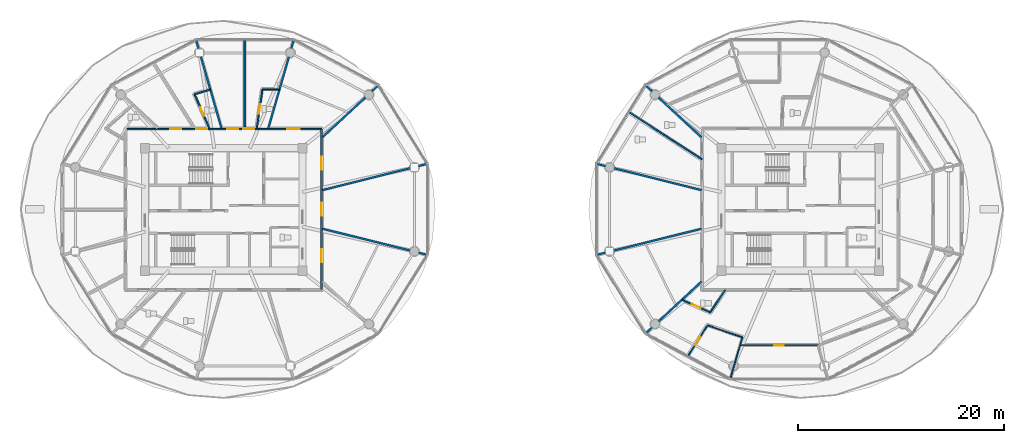
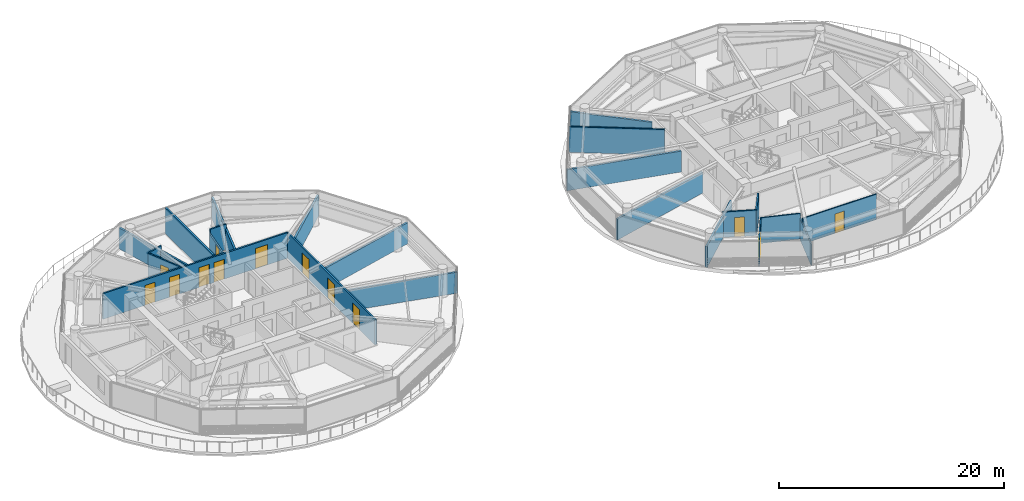
# One storey, part 17 of 32: 23 walls, 13 doors, 13 openings.
"""IFC4 building model written with IfcOpenShell, lengths in metres."""

from ifc_helpers import new_model, si_unit, direction, frame, frame_2d, origin, place, context, subcontext, project, spatial, rectangle, extrude, source, transform, mapped, material, layer, layer_set, type_object, type_shapes, element, fill, save


model = new_model("IFC4")

# Units and contexts
model_context = context("Model", 3, precision=1e-05, world=origin(), true_north=direction((0.0, 1.0)))
body_context = subcontext(model_context, "Body", "Model", "MODEL_VIEW")
ifc_project = project(units=[si_unit("LENGTHUNIT", "METRE"), si_unit("AREAUNIT", "SQUARE_METRE"), si_unit("VOLUMEUNIT", "CUBIC_METRE"), si_unit("PLANEANGLEUNIT", "RADIAN"), si_unit("MASSUNIT", "GRAM", prefix="KILO")], contexts=[model_context])

# Site, building, storey
site_placement = place(None, origin())
site = spatial("IfcSite", under=ifc_project, at=site_placement, CompositionType="ELEMENT")
building_placement = place(site_placement, origin())
building = spatial("IfcBuilding", under=site, at=building_placement, Name="Norrkilde Senior Care Towers", CompositionType="ELEMENT")
storey_placement = place(building_placement, frame((0.0, 0.0, 77.949951171875)))
storey = spatial("IfcBuildingStorey", under=building, at=storey_placement, Name="L23", CompositionType="ELEMENT", Elevation=77.949951171875)

# Wall, openings, doors
ifc_material_1 = material(Name="Gypsum Acoustic Board")
ifc_layer_1 = layer(ifc_material_1, 0.1650390625)
ifc_layer_set_1 = layer_set([ifc_layer_1], Name="Gypsum Acoustic Board")
wall_type_1 = type_object("IfcWallType", Name="Corridor Rated Partition 165", PredefinedType="PARTITIONING", material=ifc_layer_set_1)
shared_shape_1 = source(origin(), body_context, "Body", "SweptSolid", [
    extrude(rectangle(XDim=19.0, YDim=0.1650390625, at=frame_2d((9.5, 0.0))), origin(), (0.0, 0.0, 1.0), 2.775146484375),
])
wall_1_placement = place(storey_placement, frame((-37.5, 7.800048828125, 0.0), z_axis=(0.0, 0.0, 1.0), x_axis=(1.0, 0.0, 0.0)))
wall_1 = element("IfcWall", 1, at=wall_1_placement, inside=storey, type_object=wall_type_1, Name="WL-INT-L23-W-CRW-N-0", PredefinedType="PARTITIONING", context=body_context, shape_type="MappedRepresentation", body=[
    mapped(shared_shape_1, transform((0.0, 0.0, 0.0), x_axis=(1.0, 0.0, 0.0), y_axis=(0.0, 1.0, 0.0), z_axis=(0.0, 0.0, 1.0), scale=1.0)),
])
opening_1_placement = place(wall_1_placement, frame((15.643798828125, 0.0, 0.0)))
opening_1 = element("IfcOpeningElement", 2, at=opening_1_placement, cuts=wall_1, Name="Opening D-05", PredefinedType="OPENING", context=body_context, shape_type="SweptSolid", body=[
    extrude(rectangle(XDim=1.25, YDim=2.199951171875, at=frame_2d((0.625, 1.10009765625))), frame((0.0, 0.092529296875, 0.0), z_axis=(0.0, -1.0, 0.0), x_axis=(1.0, 0.0, 0.0)), (0.0, 0.0, 1.0), 0.18505859375),
])
opening_2_placement = place(wall_1_placement, frame((11.401611328125, 0.0, 0.0)))
opening_2 = element("IfcOpeningElement", 3, at=opening_2_placement, cuts=wall_1, Name="Opening D-06", PredefinedType="OPENING", context=body_context, shape_type="SweptSolid", body=[
    extrude(rectangle(XDim=1.050048828125, YDim=2.14990234375, at=frame_2d((0.52490234375, 1.074951171875))), frame((0.0, 0.092529296875, 0.0), z_axis=(0.0, -1.0, 0.0), x_axis=(1.0, 0.0, 0.0)), (0.0, 0.0, 1.0), 0.18505859375),
])
opening_3_placement = place(wall_1_placement, frame((9.857177734375, 0.0, 0.0)))
opening_3 = element("IfcOpeningElement", 4, at=opening_3_placement, cuts=wall_1, Name="Opening D-06", PredefinedType="OPENING", context=body_context, shape_type="SweptSolid", body=[
    extrude(rectangle(XDim=1.050048828125, YDim=2.14990234375, at=frame_2d((0.52490234375, 1.074951171875))), frame((0.0, 0.092529296875, 0.0), z_axis=(0.0, -1.0, 0.0), x_axis=(1.0, 0.0, 0.0)), (0.0, 0.0, 1.0), 0.18505859375),
])
opening_4_placement = place(wall_1_placement, frame((6.826171875, 0.0, 0.0)))
opening_4 = element("IfcOpeningElement", 5, at=opening_4_placement, cuts=wall_1, Name="Opening D-06", PredefinedType="OPENING", context=body_context, shape_type="SweptSolid", body=[
    extrude(rectangle(XDim=1.050048828125, YDim=2.14990234375, at=frame_2d((0.52490234375, 1.074951171875))), frame((0.0, 0.092529296875, 0.0), z_axis=(0.0, -1.0, 0.0), x_axis=(1.0, 0.0, 0.0)), (0.0, 0.0, 1.0), 0.18505859375),
])
opening_5_placement = place(wall_1_placement, frame((4.306640625, 0.0, 0.0)))
opening_5 = element("IfcOpeningElement", 6, at=opening_5_placement, cuts=wall_1, Name="Opening D-06", PredefinedType="OPENING", context=body_context, shape_type="SweptSolid", body=[
    extrude(rectangle(XDim=1.050048828125, YDim=2.14990234375, at=frame_2d((0.52490234375, 1.074951171875))), frame((0.0, 0.092529296875, 0.0), z_axis=(0.0, -1.0, 0.0), x_axis=(1.0, 0.0, 0.0)), (0.0, 0.0, 1.0), 0.18505859375),
])
ifc_material_2 = material(Name="Nordic Ash Timber", Category="wood")
door_type_1 = type_object("IfcDoorType", Name="Care Bedroom Bariatric Door 1250x2200", OperationType="NOTDEFINED", PredefinedType="DOOR", material=ifc_material_2)
shared_shape_2 = source(origin(), body_context, "Body", "SweptSolid", [
    extrude(rectangle(XDim=1.25, YDim=2.199951171875, at=frame_2d((0.625, 1.10009765625))), frame((0.0, 0.02490234375, 0.0), z_axis=(0.0, -1.0, 0.0), x_axis=(1.0, 0.0, 0.0)), (0.0, 0.0, 1.0), 0.050048828125),
])
type_shapes(door_type_1, [shared_shape_2])
door_1_placement = place(opening_1_placement, frame((1.25, 0.0, 0.0), z_axis=(0.0, 0.0, 1.0), x_axis=(-1.0, 0.0, 0.0)))
door_1 = element("IfcDoor", 7, at=door_1_placement, inside=storey, type_object=door_type_1, Name="L23 Senior Wellness Library Lounge Door", OperationType="SINGLE_SWING_RIGHT", OverallHeight=2.199951171875, OverallWidth=1.25, PredefinedType="DOOR", context=body_context, shape_type="MappedRepresentation", body=[
    mapped(shared_shape_2, transform((0.0, 0.0, 0.0), x_axis=(1.0, 0.0, 0.0), y_axis=(0.0, 1.0, 0.0), z_axis=(0.0, 0.0, 1.0), scale=1.0)),
])
fill(opening_1, door_1)
door_type_2 = type_object("IfcDoorType", Name="Apartment Entrance Fire Door 1050x2150", OperationType="NOTDEFINED", PredefinedType="DOOR", material=ifc_material_2)
shared_shape_3 = source(origin(), body_context, "Body", "SweptSolid", [
    extrude(rectangle(XDim=1.050048828125, YDim=2.14990234375, at=frame_2d((0.52490234375, 1.074951171875))), frame((0.0, 0.02490234375, 0.0), z_axis=(0.0, -1.0, 0.0), x_axis=(1.0, 0.0, 0.0)), (0.0, 0.0, 1.0), 0.050048828125),
])
type_shapes(door_type_2, [shared_shape_3])
door_2_placement = place(opening_2_placement, frame((1.050048828125, 0.0, 0.0), z_axis=(0.0, 0.0, 1.0), x_axis=(-1.0, 0.0, 0.0)))
door_2 = element("IfcDoor", 8, at=door_2_placement, inside=storey, type_object=door_type_2, Name="L23 Care Suite 2302A Entrance Door", OperationType="SINGLE_SWING_RIGHT", OverallHeight=2.14990234375, OverallWidth=1.050048828125, PredefinedType="DOOR", context=body_context, shape_type="MappedRepresentation", body=[
    mapped(shared_shape_3, transform((0.0, 0.0, 0.0), x_axis=(1.0, 0.0, 0.0), y_axis=(0.0, 1.0, 0.0), z_axis=(0.0, 0.0, 1.0), scale=1.0)),
])
fill(opening_2, door_2)
door_3_placement = place(opening_3_placement, frame((1.050048828125, 0.0, 0.0), z_axis=(0.0, 0.0, 1.0), x_axis=(-1.0, 0.0, 0.0)))
door_3 = element("IfcDoor", 9, at=door_3_placement, inside=storey, type_object=door_type_2, Name="L23 Therapy Day Lounge 02 Door", OperationType="SINGLE_SWING_RIGHT", OverallHeight=2.14990234375, OverallWidth=1.050048828125, PredefinedType="DOOR", context=body_context, shape_type="MappedRepresentation", body=[
    mapped(shared_shape_3, transform((0.0, 0.0, 0.0), x_axis=(1.0, 0.0, 0.0), y_axis=(0.0, 1.0, 0.0), z_axis=(0.0, 0.0, 1.0), scale=1.0)),
])
fill(opening_3, door_3)
door_4_placement = place(opening_4_placement, frame((1.050048828125, 0.0, 0.0), z_axis=(0.0, 0.0, 1.0), x_axis=(-1.0, 0.0, 0.0)))
door_4 = element("IfcDoor", 10, at=door_4_placement, inside=storey, type_object=door_type_2, Name="L23 Care Suite 2303A Entrance Door", OperationType="SINGLE_SWING_LEFT", OverallHeight=2.14990234375, OverallWidth=1.050048828125, PredefinedType="DOOR", context=body_context, shape_type="MappedRepresentation", body=[
    mapped(shared_shape_3, transform((0.0, 0.0, 0.0), x_axis=(1.0, 0.0, 0.0), y_axis=(0.0, 1.0, 0.0), z_axis=(0.0, 0.0, 1.0), scale=1.0)),
])
fill(opening_4, door_4)
door_5_placement = place(opening_5_placement, frame((1.050048828125, 0.0, 0.0), z_axis=(0.0, 0.0, 1.0), x_axis=(-1.0, 0.0, 0.0)))
door_5 = element("IfcDoor", 11, at=door_5_placement, inside=storey, type_object=door_type_2, Name="L23 Therapy Day Lounge 03 Door", OperationType="SINGLE_SWING_LEFT", OverallHeight=2.14990234375, OverallWidth=1.050048828125, PredefinedType="DOOR", context=body_context, shape_type="MappedRepresentation", body=[
    mapped(shared_shape_3, transform((0.0, 0.0, 0.0), x_axis=(1.0, 0.0, 0.0), y_axis=(0.0, 1.0, 0.0), z_axis=(0.0, 0.0, 1.0), scale=1.0)),
])
fill(opening_5, door_5)

shared_shape_4 = source(origin(), body_context, "Body", "SweptSolid", [
    extrude(rectangle(XDim=15.60009765625, YDim=0.1650390625, at=frame_2d((7.800048828125, 0.0))), origin(), (0.0, 0.0, 1.0), 2.775146484375),
])
type_shapes(wall_type_1, [shared_shape_1, shared_shape_4])
wall_2_placement = place(storey_placement, frame((-18.5, 7.800048828125, 0.0), z_axis=(0.0, 0.0, 1.0), x_axis=(0.0, -1.0, 0.0)))
wall_2 = element("IfcWall", 12, at=wall_2_placement, inside=storey, type_object=wall_type_1, Name="WL-INT-L23-W-CRW-E-0", PredefinedType="PARTITIONING", context=body_context, shape_type="MappedRepresentation", body=[
    mapped(shared_shape_4, transform((0.0, 0.0, 0.0), x_axis=(1.0, 0.0, 0.0), y_axis=(0.0, 1.0, 0.0), z_axis=(0.0, 0.0, 1.0), scale=1.0)),
])
opening_6_placement = place(wall_2_placement, frame((11.6640625, 0.0, 0.0)))
opening_6 = element("IfcOpeningElement", 13, at=opening_6_placement, cuts=wall_2, Name="Opening D-05", PredefinedType="OPENING", context=body_context, shape_type="SweptSolid", body=[
    extrude(rectangle(XDim=1.25, YDim=2.199951171875, at=frame_2d((0.625, 1.10009765625))), frame((0.0, 0.092529296875, 0.0), z_axis=(0.0, -1.0, 0.0), x_axis=(1.0, 0.0, 0.0)), (0.0, 0.0, 1.0), 0.18505859375),
])
opening_7_placement = place(wall_2_placement, frame((7.175048828125, 0.0, 0.0)))
opening_7 = element("IfcOpeningElement", 14, at=opening_7_placement, cuts=wall_2, Name="Opening D-05", PredefinedType="OPENING", context=body_context, shape_type="SweptSolid", body=[
    extrude(rectangle(XDim=1.25, YDim=2.199951171875, at=frame_2d((0.625, 1.10009765625))), frame((0.0, 0.092529296875, 0.0), z_axis=(0.0, -1.0, 0.0), x_axis=(1.0, 0.0, 0.0)), (0.0, 0.0, 1.0), 0.18505859375),
])
opening_8_placement = place(wall_2_placement, frame((2.68603515625, 0.0, 0.0)))
opening_8 = element("IfcOpeningElement", 15, at=opening_8_placement, cuts=wall_2, Name="Opening D-05", PredefinedType="OPENING", context=body_context, shape_type="SweptSolid", body=[
    extrude(rectangle(XDim=1.25, YDim=2.199951171875, at=frame_2d((0.625, 1.10009765625))), frame((0.0, 0.092529296875, 0.0), z_axis=(0.0, -1.0, 0.0), x_axis=(1.0, 0.0, 0.0)), (0.0, 0.0, 1.0), 0.18505859375),
])
door_6_placement = place(opening_6_placement, frame((1.25, 0.0, 0.0), z_axis=(0.0, 0.0, 1.0), x_axis=(-1.0, 0.0, 0.0)))
door_6 = element("IfcDoor", 16, at=door_6_placement, inside=storey, type_object=door_type_1, Name="L23 Care Coordination Charting Office Door", OperationType="SINGLE_SWING_LEFT", OverallHeight=2.199951171875, OverallWidth=1.25, PredefinedType="DOOR", context=body_context, shape_type="MappedRepresentation", body=[
    mapped(shared_shape_2, transform((0.0, 0.0, 0.0), x_axis=(1.0, 0.0, 0.0), y_axis=(0.0, 1.0, 0.0), z_axis=(0.0, 0.0, 1.0), scale=1.0)),
])
fill(opening_6, door_6)
door_7_placement = place(opening_7_placement, frame((1.25, 0.0, 0.0), z_axis=(0.0, 0.0, 1.0), x_axis=(-1.0, 0.0, 0.0)))
door_7 = element("IfcDoor", 17, at=door_7_placement, inside=storey, type_object=door_type_1, Name="L23 Household Communal Dining Salon Door", OperationType="SINGLE_SWING_RIGHT", OverallHeight=2.199951171875, OverallWidth=1.25, PredefinedType="DOOR", context=body_context, shape_type="MappedRepresentation", body=[
    mapped(shared_shape_2, transform((0.0, 0.0, 0.0), x_axis=(1.0, 0.0, 0.0), y_axis=(0.0, 1.0, 0.0), z_axis=(0.0, 0.0, 1.0), scale=1.0)),
])
fill(opening_7, door_7)
door_8_placement = place(opening_8_placement, frame((1.25, 0.0, 0.0), z_axis=(0.0, 0.0, 1.0), x_axis=(-1.0, 0.0, 0.0)))
door_8 = element("IfcDoor", 18, at=door_8_placement, inside=storey, type_object=door_type_1, Name="L23 Sky-Garden Observatory Dining Salon L23 Door", OperationType="SINGLE_SWING_LEFT", OverallHeight=2.199951171875, OverallWidth=1.25, PredefinedType="DOOR", context=body_context, shape_type="MappedRepresentation", body=[
    mapped(shared_shape_2, transform((0.0, 0.0, 0.0), x_axis=(1.0, 0.0, 0.0), y_axis=(0.0, 1.0, 0.0), z_axis=(0.0, 0.0, 1.0), scale=1.0)),
])
fill(opening_8, door_8)

# Walls
ifc_layer_2 = layer(ifc_material_1, 0.18994140625)
ifc_layer_set_2 = layer_set([ifc_layer_2], Name="Gypsum Acoustic Board")
wall_type_2 = type_object("IfcWallType", Name="Unit Demising Acoustic Wall 190", PredefinedType="PARTITIONING", material=ifc_layer_set_2)
shared_shape_5 = source(origin(), body_context, "Body", "SweptSolid", [
    extrude(rectangle(XDim=8.9892578125, YDim=0.18994140625, at=frame_2d((4.49462890625, 0.0))), origin(), (0.0, 0.0, 1.0), 2.275146484375),
])
for number, where, z_axis, x_axis, name in (
    (19, (-23.677978515625, 7.8798828125, 0.0), (0.0, 0.0, 1.0), (0.27702323008, 0.960863221274, 0.0), "WL-INT-L23-W-DEM-02-0"),
    (20, (-28.221923828125, 7.8798828125, 0.0), (0.0, 0.0, 1.0), (-0.27702323008, 0.960863221274, 0.0), "WL-INT-L23-W-DEM-03-0"),
):
    element("IfcWall", number, at=place(storey_placement, frame(where, z_axis=z_axis, x_axis=x_axis)), inside=storey, type_object=wall_type_2, Name=name, PredefinedType="PARTITIONING", context=body_context, shape_type="MappedRepresentation", body=[
        mapped(shared_shape_5, transform((0.0, 0.0, 0.0), x_axis=(1.0, 0.0, 0.0), y_axis=(0.0, 1.0, 0.0), z_axis=(0.0, 0.0, 1.0), scale=1.0)),
    ])
shared_shape_6 = source(origin(), body_context, "Body", "SweptSolid", [
    extrude(rectangle(XDim=7.482177734375, YDim=0.18994140625, at=frame_2d((3.7412109375, 0.0))), origin(), (0.0, 0.0, 1.0), 2.275146484375),
])
for number, where, z_axis, x_axis, name in (
    (21, (-18.419921875, 6.998046875, 0.0), (0.0, 0.0, 1.0), (0.732508698043, 0.680757671489, 0.0), "WL-INT-L23-W-DEM-01-0"),
    (22, (18.419921875, -6.998046875, 0.0), (0.0, 0.0, 1.0), (-0.732508698043, -0.680757671489, 0.0), "WL-INT-L23-E-DEM-07-0"),
    (23, (18.419921875, 6.998046875, 0.0), (0.0, 0.0, 1.0), (-0.732508698043, 0.680757671489, 0.0), "WL-INT-L23-E-DEM-04-0"),
):
    element("IfcWall", number, at=place(storey_placement, frame(where, z_axis=z_axis, x_axis=x_axis)), inside=storey, type_object=wall_type_2, Name=name, PredefinedType="PARTITIONING", context=body_context, shape_type="MappedRepresentation", body=[
        mapped(shared_shape_6, transform((0.0, 0.0, 0.0), x_axis=(1.0, 0.0, 0.0), y_axis=(0.0, 1.0, 0.0), z_axis=(0.0, 0.0, 1.0), scale=1.0)),
    ])
shared_shape_7 = source(origin(), body_context, "Body", "SweptSolid", [
    extrude(rectangle(XDim=10.5556640625, YDim=0.18994140625, at=frame_2d((5.27783203125, 0.0))), origin(), (0.0, 0.0, 1.0), 2.275146484375),
])
for number, where, z_axis, x_axis, name in (
    (24, (-18.419921875, -1.875, 0.0), (0.0, 0.0, 1.0), (0.970363857851, -0.241648470667, 0.0), "WL-INT-L23-W-DEM-11-0"),
    (25, (-18.419921875, 1.875, 0.0), (0.0, 0.0, 1.0), (0.970363857851, 0.241648470667, 0.0), "WL-INT-L23-W-DEM-00-0"),
    (26, (18.419921875, 1.875, 0.0), (0.0, 0.0, 1.0), (-0.970363857851, 0.241648470667, 0.0), "WL-INT-L23-E-DEM-05-0"),
    (27, (18.419921875, -1.875, 0.0), (0.0, 0.0, 1.0), (-0.970363857851, -0.241648470667, 0.0), "WL-INT-L23-E-DEM-06-0"),
):
    element("IfcWall", number, at=place(storey_placement, frame(where, z_axis=z_axis, x_axis=x_axis)), inside=storey, type_object=wall_type_2, Name=name, PredefinedType="PARTITIONING", context=body_context, shape_type="MappedRepresentation", body=[
        mapped(shared_shape_7, transform((0.0, 0.0, 0.0), x_axis=(1.0, 0.0, 0.0), y_axis=(0.0, 1.0, 0.0), z_axis=(0.0, 0.0, 1.0), scale=1.0)),
    ])
shared_shape_8 = source(origin(), body_context, "Body", "SweptSolid", [
    extrude(rectangle(XDim=8.470458984375, YDim=0.18994140625, at=frame_2d((4.2353515625, 0.0))), origin(), (0.0, 0.0, 1.0), 2.775146484375),
])
type_shapes(wall_type_2, [shared_shape_5, shared_shape_6, shared_shape_7, shared_shape_8])
wall_3_placement = place(storey_placement, frame((-25.949951171875, 8.046875, 0.0), z_axis=(0.0, 0.0, 1.0), x_axis=(0.0, 1.0, 0.0)))
element("IfcWall", 28, at=wall_3_placement, inside=storey, type_object=wall_type_2, Name="WL-INT-L23-W-CMID-02", PredefinedType="PARTITIONING", context=body_context, shape_type="MappedRepresentation", body=[
    mapped(shared_shape_8, transform((0.0, 0.0, 0.0), x_axis=(1.0, 0.0, 0.0), y_axis=(0.0, 1.0, 0.0), z_axis=(0.0, 0.0, 1.0), scale=1.0)),
])

# Wall, opening, door
ifc_layer_3 = layer(ifc_material_1, 0.139892578125)
ifc_layer_set_3 = layer_set([ifc_layer_3], Name="Gypsum Acoustic Board")
wall_type_3 = type_object("IfcWallType", Name="En-suite Wet Room Wall 140", PredefinedType="PARTITIONING", material=ifc_layer_set_3)
shared_shape_9 = source(origin(), body_context, "Body", "SweptSolid", [
    extrude(rectangle(XDim=3.859619140625, YDim=0.139892578125, at=frame_2d((1.9296875, 0.0))), origin(), (0.0, 0.0, 1.0), 2.275146484375),
])
wall_4_placement = place(storey_placement, frame((-24.80224609375, 7.830078125, 0.0), z_axis=(0.0, 0.0, 1.0), x_axis=(0.145042357075, 0.989425446739, 0.0)))
wall_4 = element("IfcWall", 29, at=wall_4_placement, inside=storey, type_object=wall_type_3, Name="WL-INT-L23-W-ES-02A", PredefinedType="PARTITIONING", context=body_context, shape_type="MappedRepresentation", body=[
    mapped(shared_shape_9, transform((0.0, 0.0, 0.0), x_axis=(1.0, 0.0, 0.0), y_axis=(0.0, 1.0, 0.0), z_axis=(0.0, 0.0, 1.0), scale=1.0)),
])
opening_9_placement = place(wall_4_placement, frame((1.469970703125, 0.0, 0.0)))
opening_9 = element("IfcOpeningElement", 30, at=opening_9_placement, cuts=wall_4, Name="Opening D-08", PredefinedType="OPENING", context=body_context, shape_type="SweptSolid", body=[
    extrude(rectangle(XDim=0.919921875, YDim=2.10009765625, at=frame_2d((0.4599609375, 1.050048828125))), frame((0.0, 0.079833984375, 0.0), z_axis=(0.0, -1.0, 0.0), x_axis=(1.0, 0.0, 0.0)), (0.0, 0.0, 1.0), 0.159912109375),
])
door_type_3 = type_object("IfcDoorType", Name="Accessible Wet Room Door 920x2100", OperationType="NOTDEFINED", PredefinedType="DOOR", material=ifc_material_2)
shared_shape_10 = source(origin(), body_context, "Body", "SweptSolid", [
    extrude(rectangle(XDim=0.919921875, YDim=2.10009765625, at=frame_2d((0.4599609375, 1.050048828125))), frame((0.0, 0.02490234375, 0.0), z_axis=(0.0, -1.0, 0.0), x_axis=(1.0, 0.0, 0.0)), (0.0, 0.0, 1.0), 0.050048828125),
])
type_shapes(door_type_3, [shared_shape_10])
door_9_placement = place(opening_9_placement, origin())
door_9 = element("IfcDoor", 31, at=door_9_placement, inside=storey, type_object=door_type_3, Name="L23 Care Suite 2302A Bathroom Door", OperationType="SINGLE_SWING_LEFT", OverallHeight=2.10009765625, OverallWidth=0.919921875, PredefinedType="DOOR", context=body_context, shape_type="MappedRepresentation", body=[
    mapped(shared_shape_10, transform((0.0, 0.0, 0.0), x_axis=(1.0, 0.0, 0.0), y_axis=(0.0, 1.0, 0.0), z_axis=(0.0, 0.0, 1.0), scale=1.0)),
])
fill(opening_9, door_9)

# Wall
shared_shape_11 = source(origin(), body_context, "Body", "SweptSolid", [
    extrude(rectangle(XDim=1.632080078125, YDim=0.139892578125, at=frame_2d((0.81591796875, 0.0))), origin(), (0.0, 0.0, 1.0), 2.775146484375),
])
wall_5_placement = place(storey_placement, frame((-24.242431640625, 11.64892578125, 0.0), z_axis=(0.0, 0.0, 1.0), x_axis=(0.999999093743, -0.001346296461, 0.0)))
element("IfcWall", 32, at=wall_5_placement, inside=storey, type_object=wall_type_3, Name="WL-INT-L23-W-EF-02A", PredefinedType="PARTITIONING", context=body_context, shape_type="MappedRepresentation", body=[
    mapped(shared_shape_11, transform((0.0, 0.0, 0.0), x_axis=(1.0, 0.0, 0.0), y_axis=(0.0, 1.0, 0.0), z_axis=(0.0, 0.0, 1.0), scale=1.0)),
])

# Wall, opening, door
shared_shape_12 = source(origin(), body_context, "Body", "SweptSolid", [
    extrude(rectangle(XDim=3.656005859375, YDim=0.139892578125, at=frame_2d((1.828125, 0.0))), origin(), (0.0, 0.0, 1.0), 2.775146484375),
])
wall_6_placement = place(storey_placement, frame((-29.369384765625, 7.830078125, 0.0), z_axis=(0.0, 0.0, 1.0), x_axis=(-0.400212690223, 0.916422283985, 0.0)))
wall_6 = element("IfcWall", 33, at=wall_6_placement, inside=storey, type_object=wall_type_3, Name="WL-INT-L23-W-ES-03A", PredefinedType="PARTITIONING", context=body_context, shape_type="MappedRepresentation", body=[
    mapped(shared_shape_12, transform((0.0, 0.0, 0.0), x_axis=(1.0, 0.0, 0.0), y_axis=(0.0, 1.0, 0.0), z_axis=(0.0, 0.0, 1.0), scale=1.0)),
])
opening_10_placement = place(wall_6_placement, frame((1.367919921875, 0.0, 0.0)))
opening_10 = element("IfcOpeningElement", 34, at=opening_10_placement, cuts=wall_6, Name="Opening D-08", PredefinedType="OPENING", context=body_context, shape_type="SweptSolid", body=[
    extrude(rectangle(XDim=0.919921875, YDim=2.10009765625, at=frame_2d((0.4599609375, 1.050048828125))), frame((0.0, 0.079833984375, 0.0), z_axis=(0.0, -1.0, 0.0), x_axis=(1.0, 0.0, 0.0)), (0.0, 0.0, 1.0), 0.159912109375),
])
door_10_placement = place(opening_10_placement, origin())
door_10 = element("IfcDoor", 35, at=door_10_placement, inside=storey, type_object=door_type_3, Name="L23 Care Suite 2303A Bathroom Door", OperationType="SINGLE_SWING_RIGHT", OverallHeight=2.10009765625, OverallWidth=0.919921875, PredefinedType="DOOR", context=body_context, shape_type="MappedRepresentation", body=[
    mapped(shared_shape_10, transform((0.0, 0.0, 0.0), x_axis=(1.0, 0.0, 0.0), y_axis=(0.0, 1.0, 0.0), z_axis=(0.0, 0.0, 1.0), scale=1.0)),
])
fill(opening_10, door_10)

# Wall
shared_shape_13 = source(origin(), body_context, "Body", "SweptSolid", [
    extrude(rectangle(XDim=1.612060546875, YDim=0.139892578125, at=frame_2d((0.80615234375, 0.0))), origin(), (0.0, 0.0, 1.0), 2.775146484375),
])
wall_7_placement = place(storey_placement, frame((-30.83251953125, 11.180419921875, 0.0), z_axis=(0.0, 0.0, 1.0), x_axis=(0.956236281577, 0.292595580616, 0.0)))
element("IfcWall", 36, at=wall_7_placement, inside=storey, type_object=wall_type_3, Name="WL-INT-L23-W-EF-03A", PredefinedType="PARTITIONING", context=body_context, shape_type="MappedRepresentation", body=[
    mapped(shared_shape_13, transform((0.0, 0.0, 0.0), x_axis=(1.0, 0.0, 0.0), y_axis=(0.0, 1.0, 0.0), z_axis=(0.0, 0.0, 1.0), scale=1.0)),
])

# Wall, opening, door
ifc_layer_4 = layer(ifc_material_1, 0.114990234375)
ifc_layer_set_4 = layer_set([ifc_layer_4], Name="Gypsum Acoustic Board")
wall_type_4 = type_object("IfcWallType", Name="Internal Room Partition 115", PredefinedType="PARTITIONING", material=ifc_layer_set_4)
shared_shape_14 = source(origin(), body_context, "Body", "SweptSolid", [
    extrude(rectangle(XDim=7.57470703125, YDim=0.114990234375, at=frame_2d((3.787353515625, 0.0))), origin(), (0.0, 0.0, 1.0), 2.775146484375),
])
wall_8_placement = place(storey_placement, frame((22.16259765625, -13.208251953125, 0.0), z_axis=(0.0, 0.0, 1.0), x_axis=(1.0, 0.0, 0.0)))
wall_8 = element("IfcWall", 37, at=wall_8_placement, inside=storey, type_object=wall_type_4, Name="WL-INT-L23-E-UBC-07-1", PredefinedType="PARTITIONING", context=body_context, shape_type="MappedRepresentation", body=[
    mapped(shared_shape_14, transform((0.0, 0.0, 0.0), x_axis=(1.0, 0.0, 0.0), y_axis=(0.0, 1.0, 0.0), z_axis=(0.0, 0.0, 1.0), scale=1.0)),
])
opening_11_placement = place(wall_8_placement, frame((3.312255859375, 0.0, 0.0)))
opening_11 = element("IfcOpeningElement", 38, at=opening_11_placement, cuts=wall_8, Name="Opening D-07", PredefinedType="OPENING", context=body_context, shape_type="SweptSolid", body=[
    extrude(rectangle(XDim=0.949951171875, YDim=2.10009765625, at=frame_2d((0.47509765625, 1.050048828125))), frame((0.0, 0.0673828125, 0.0), z_axis=(0.0, -1.0, 0.0), x_axis=(1.0, 0.0, 0.0)), (0.0, 0.0, 1.0), 0.135009765625),
])
door_type_4 = type_object("IfcDoorType", Name="Internal Suite Bedroom Door 950x2100", OperationType="NOTDEFINED", PredefinedType="DOOR", material=ifc_material_2)
shared_shape_15 = source(origin(), body_context, "Body", "SweptSolid", [
    extrude(rectangle(XDim=0.949951171875, YDim=2.10009765625, at=frame_2d((0.47509765625, 1.050048828125))), frame((0.0, 0.02490234375, 0.0), z_axis=(0.0, -1.0, 0.0), x_axis=(1.0, 0.0, 0.0)), (0.0, 0.0, 1.0), 0.050048828125),
])
type_shapes(door_type_4, [shared_shape_15])
door_11_placement = place(opening_11_placement, origin())
door_11 = element("IfcDoor", 39, at=door_11_placement, inside=storey, type_object=door_type_4, Name="Apartment 23A Bedroom 1 Door", OperationType="SINGLE_SWING_LEFT", OverallHeight=2.10009765625, OverallWidth=0.949951171875, PredefinedType="DOOR", context=body_context, shape_type="MappedRepresentation", body=[
    mapped(shared_shape_15, transform((0.0, 0.0, 0.0), x_axis=(1.0, 0.0, 0.0), y_axis=(0.0, 1.0, 0.0), z_axis=(0.0, 0.0, 1.0), scale=1.0)),
])
fill(opening_11, door_11)

# Walls
shared_shape_16 = source(origin(), body_context, "Body", "SweptSolid", [
    extrude(rectangle(XDim=4.261962890625, YDim=0.114990234375, at=frame_2d((2.130859375, 0.0))), origin(), (0.0, 0.0, 1.0), 2.275146484375),
])
wall_9_placement = place(storey_placement, frame((22.386474609375, -12.427490234375, 0.0), z_axis=(0.0, 0.0, 1.0), x_axis=(-0.281266797169, -0.95962961022, 0.0)))
element("IfcWall", 40, at=wall_9_placement, inside=storey, type_object=wall_type_4, Name="WL-INT-L23-E-UBR-07-1", PredefinedType="PARTITIONING", context=body_context, shape_type="MappedRepresentation", body=[
    mapped(shared_shape_16, transform((0.0, 0.0, 0.0), x_axis=(1.0, 0.0, 0.0), y_axis=(0.0, 1.0, 0.0), z_axis=(0.0, 0.0, 1.0), scale=1.0)),
])
shared_shape_17 = source(origin(), body_context, "Body", "SweptSolid", [
    extrude(rectangle(XDim=2.6103515625, YDim=0.139892578125, at=frame_2d((1.30517578125, 0.0))), origin(), (0.0, 0.0, 1.0), 2.775146484375),
])
wall_10_placement = place(storey_placement, frame((20.714111328125, -7.830078125, 0.0), z_axis=(0.0, 0.0, 1.0), x_axis=(-0.55584360516, -0.83128688586, 0.0)))
element("IfcWall", 41, at=wall_10_placement, inside=storey, type_object=wall_type_3, Name="WL-INT-L23-E-UBTS-07", PredefinedType="PARTITIONING", context=body_context, shape_type="MappedRepresentation", body=[
    mapped(shared_shape_17, transform((0.0, 0.0, 0.0), x_axis=(1.0, 0.0, 0.0), y_axis=(0.0, 1.0, 0.0), z_axis=(0.0, 0.0, 1.0), scale=1.0)),
])

# Wall, opening, door
shared_shape_18 = source(origin(), body_context, "Body", "SweptSolid", [
    extrude(rectangle(XDim=2.9775390625, YDim=0.139892578125, at=frame_2d((1.48876953125, 0.0))), origin(), (0.0, 0.0, 1.0), 2.775146484375),
])
wall_11_placement = place(storey_placement, frame((19.26318359375, -10.0, 0.0), z_axis=(0.0, 0.0, 1.0), x_axis=(-0.913970391966, 0.405780880043, 0.0)))
wall_11 = element("IfcWall", 42, at=wall_11_placement, inside=storey, type_object=wall_type_3, Name="WL-INT-L23-E-UBTF-07", PredefinedType="PARTITIONING", context=body_context, shape_type="MappedRepresentation", body=[
    mapped(shared_shape_18, transform((0.0, 0.0, 0.0), x_axis=(1.0, 0.0, 0.0), y_axis=(0.0, 1.0, 0.0), z_axis=(0.0, 0.0, 1.0), scale=1.0)),
])
opening_12_placement = place(wall_11_placement, frame((1.02880859375, 0.0, 0.0)))
opening_12 = element("IfcOpeningElement", 43, at=opening_12_placement, cuts=wall_11, Name="Opening D-08", PredefinedType="OPENING", context=body_context, shape_type="SweptSolid", body=[
    extrude(rectangle(XDim=0.919921875, YDim=2.10009765625, at=frame_2d((0.4599609375, 1.050048828125))), frame((0.0, 0.079833984375, 0.0), z_axis=(0.0, -1.0, 0.0), x_axis=(1.0, 0.0, 0.0)), (0.0, 0.0, 1.0), 0.159912109375),
])
door_12_placement = place(opening_12_placement, origin())
door_12 = element("IfcDoor", 44, at=door_12_placement, inside=storey, type_object=door_type_3, Name="Apartment 23A Bathroom Door", OperationType="SINGLE_SWING_LEFT", OverallHeight=2.10009765625, OverallWidth=0.919921875, PredefinedType="DOOR", context=body_context, shape_type="MappedRepresentation", body=[
    mapped(shared_shape_10, transform((0.0, 0.0, 0.0), x_axis=(1.0, 0.0, 0.0), y_axis=(0.0, 1.0, 0.0), z_axis=(0.0, 0.0, 1.0), scale=1.0)),
])
fill(opening_12, door_12)

shared_shape_19 = source(origin(), body_context, "Body", "SweptSolid", [
    extrude(rectangle(XDim=3.5947265625, YDim=0.114990234375, at=frame_2d((1.79736328125, 0.0))), origin(), (0.0, 0.0, 1.0), 2.775146484375),
])
wall_12_placement = place(storey_placement, frame((18.988037109375, -11.268310546875, 0.0), z_axis=(0.0, 0.0, 1.0), x_axis=(-0.535384889205, -0.844608205271, 0.0)))
wall_12 = element("IfcWall", 45, at=wall_12_placement, inside=storey, type_object=wall_type_4, Name="WL-INT-L23-E-UKTS-07", PredefinedType="PARTITIONING", context=body_context, shape_type="MappedRepresentation", body=[
    mapped(shared_shape_19, transform((0.0, 0.0, 0.0), x_axis=(1.0, 0.0, 0.0), y_axis=(0.0, 1.0, 0.0), z_axis=(0.0, 0.0, 1.0), scale=1.0)),
])
opening_13_placement = place(wall_12_placement, frame((1.322509765625, 0.0, 0.0)))
opening_13 = element("IfcOpeningElement", 46, at=opening_13_placement, cuts=wall_12, Name="Opening D-07", PredefinedType="OPENING", context=body_context, shape_type="SweptSolid", body=[
    extrude(rectangle(XDim=0.949951171875, YDim=2.10009765625, at=frame_2d((0.47509765625, 1.050048828125))), frame((0.0, 0.0673828125, 0.0), z_axis=(0.0, -1.0, 0.0), x_axis=(1.0, 0.0, 0.0)), (0.0, 0.0, 1.0), 0.135009765625),
])
door_13_placement = place(opening_13_placement, frame((0.949951171875, 0.0, 0.0), z_axis=(0.0, 0.0, 1.0), x_axis=(-1.0, 0.0, 0.0)))
door_13 = element("IfcDoor", 47, at=door_13_placement, inside=storey, type_object=door_type_4, Name="Apartment 23A Kitchen Door", OperationType="SINGLE_SWING_RIGHT", OverallHeight=2.10009765625, OverallWidth=0.949951171875, PredefinedType="DOOR", context=body_context, shape_type="MappedRepresentation", body=[
    mapped(shared_shape_15, transform((0.0, 0.0, 0.0), x_axis=(1.0, 0.0, 0.0), y_axis=(0.0, 1.0, 0.0), z_axis=(0.0, 0.0, 1.0), scale=1.0)),
])
fill(opening_13, door_13)

# Walls
shared_shape_20 = source(origin(), body_context, "Body", "SweptSolid", [
    extrude(rectangle(XDim=3.591064453125, YDim=0.114990234375, at=frame_2d((1.79541015625, 0.0))), origin(), (0.0, 0.0, 1.0), 2.775146484375),
])
type_shapes(wall_type_4, [shared_shape_14, shared_shape_16, shared_shape_19, shared_shape_20])
wall_13_placement = place(storey_placement, frame((18.988037109375, -11.268310546875, 0.0), z_axis=(0.0, 0.0, 1.0), x_axis=(0.946165628752, -0.323682874074, 0.0)))
element("IfcWall", 48, at=wall_13_placement, inside=storey, type_object=wall_type_4, Name="WL-INT-L23-E-UKTF-07", PredefinedType="PARTITIONING", context=body_context, shape_type="MappedRepresentation", body=[
    mapped(shared_shape_20, transform((0.0, 0.0, 0.0), x_axis=(1.0, 0.0, 0.0), y_axis=(0.0, 1.0, 0.0), z_axis=(0.0, 0.0, 1.0), scale=1.0)),
])
shared_shape_21 = source(origin(), body_context, "Body", "SweptSolid", [
    extrude(rectangle(XDim=8.516357421875, YDim=0.139892578125, at=frame_2d((4.25830078125, 0.0))), origin(), (0.0, 0.0, 1.0), 2.775146484375),
])
type_shapes(wall_type_3, [shared_shape_9, shared_shape_11, shared_shape_12, shared_shape_13, shared_shape_17, shared_shape_18, shared_shape_21])
wall_14_placement = place(storey_placement, frame((18.469970703125, 4.858154296875, 0.0), z_axis=(0.0, 0.0, 1.0), x_axis=(-0.83954092961, 0.543296445331, 0.0)))
element("IfcWall", 49, at=wall_14_placement, inside=storey, type_object=wall_type_3, Name="WL-INT-L23-E-MID-04", PredefinedType="PARTITIONING", context=body_context, shape_type="MappedRepresentation", body=[
    mapped(shared_shape_21, transform((0.0, 0.0, 0.0), x_axis=(1.0, 0.0, 0.0), y_axis=(0.0, 1.0, 0.0), z_axis=(0.0, 0.0, 1.0), scale=1.0)),
])

save(model, "model.ifc")
